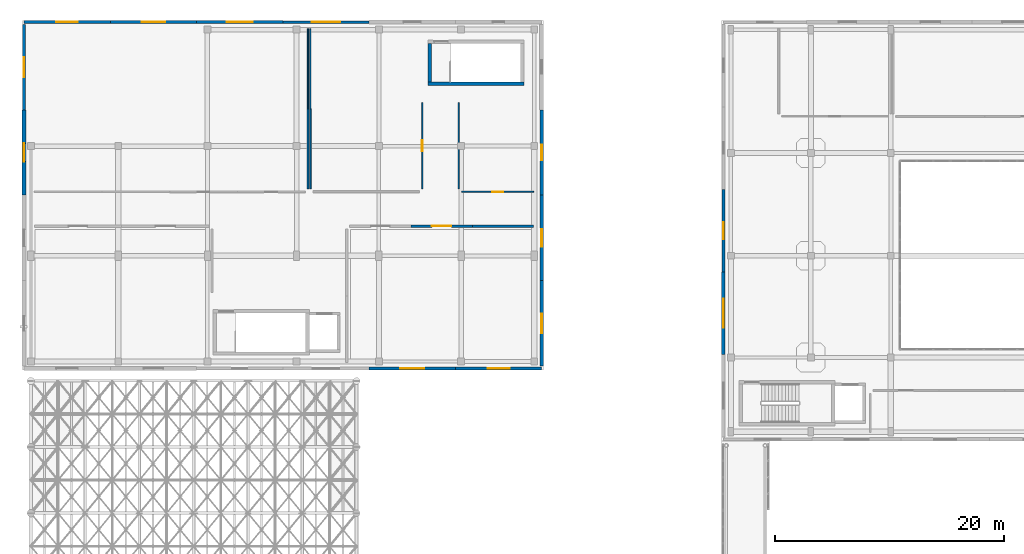
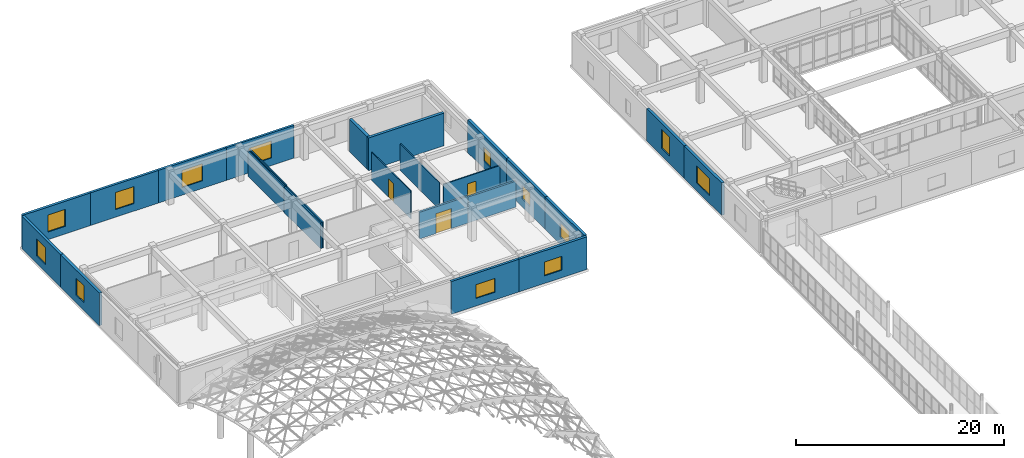
# One storey, part 135 of 146: 24 walls, 13 windows, 3 doors, 16 openings.
"""IFC4 building model written with IfcOpenShell, lengths in metres."""

from ifc_helpers import new_model, si_unit, direction, frame, frame_2d, origin, place, context, subcontext, project, spatial, rectangle, extrude, material, layer, layer_set, type_object, element, fill, save


model = new_model("IFC4")

# Units and contexts
model_context = context("Model", 3, precision=1e-05, world=origin(), true_north=direction((0.0, 1.0)))
body_context = subcontext(model_context, "Body", "Model", "MODEL_VIEW")
ifc_project = project(units=[si_unit("LENGTHUNIT", "METRE"), si_unit("AREAUNIT", "SQUARE_METRE"), si_unit("VOLUMEUNIT", "CUBIC_METRE"), si_unit("PLANEANGLEUNIT", "RADIAN"), si_unit("MASSUNIT", "GRAM", prefix="KILO")], contexts=[model_context])

# Site, building, storey
site_placement = place(None, origin())
site = spatial("IfcSite", under=ifc_project, at=site_placement, CompositionType="ELEMENT")
building_placement = place(site_placement, origin())
building = spatial("IfcBuilding", under=site, at=building_placement, Name="Valcora Specialist Clinic", CompositionType="ELEMENT")
storey_placement = place(building_placement, frame((0.0, 0.0, 9.52001953125)))
storey = spatial("IfcBuildingStorey", under=building, at=storey_placement, Name="L02", CompositionType="ELEMENT", Elevation=9.52001953125)

# Walls
ifc_material_1 = material(Name="Concrete C40/50", Category="concrete")
ifc_layer_1 = layer(ifc_material_1, 0.300048828125)
ifc_layer_set_1 = layer_set([ifc_layer_1], Name="Concrete C40/50")
wall_type_1 = type_object("IfcWallType", Name="TY-WL-CR300", PredefinedType="SHEAR", material=ifc_layer_set_1)
wall_1_placement = place(storey_placement, frame((35.5, 105.25, 0.0), z_axis=(0.0, 0.0, 1.0), x_axis=(1.0, 0.0, 0.0)))
element("IfcWall", 1, at=wall_1_placement, inside=storey, type_object=wall_type_1, Name="Core shear wall WL-CR-C-V2B-L02-S", PredefinedType="SHEAR", context=body_context, shape_type="SweptSolid", body=[
    extrude(rectangle(XDim=8.419921875, YDim=0.300048828125, at=frame_2d((4.2099609375, 0.0))), origin(), (0.0, 0.0, 1.0), 3.843017578125),
])
wall_2_placement = place(storey_placement, frame((35.64990234375, 105.402099609375, 0.0), z_axis=(0.0, 0.0, 1.0), x_axis=(0.0, 1.0, 0.0)))
element("IfcWall", 2, at=wall_2_placement, inside=storey, type_object=wall_type_1, Name="Core shear wall WL-CR-C-V2B-L02-W", PredefinedType="SHEAR", context=body_context, shape_type="SweptSolid", body=[
    extrude(rectangle(XDim=3.39599609375, YDim=0.300048828125, at=frame_2d((1.697998046875, 0.0))), origin(), (0.0, 0.0, 1.0), 3.843017578125),
])

# Wall, opening, window
ifc_material_2 = material(Name="Extruded Jalisco Clay Brick Masonry", Category="masonry")
ifc_layer_2 = layer(ifc_material_2, 0.235107421875)
ifc_layer_set_2 = layer_set([ifc_layer_2], Name="Extruded Jalisco Clay Brick Masonry")
wall_type_2 = type_object("IfcWallType", Name="TY-WL-EW235", PredefinedType="SOLIDWALL", material=ifc_layer_set_2)
wall_3_placement = place(storey_placement, frame((22.800048828125, 110.64990234375, 0.0), z_axis=(0.0, 0.0, 1.0), x_axis=(1.0, 0.0, 0.0)))
wall_3 = element("IfcWall", 3, at=wall_3_placement, inside=storey, type_object=wall_type_2, Name="Exterior wall WL-EXT-L02-0090", PredefinedType="SOLIDWALL", context=body_context, shape_type="SweptSolid", body=[
    extrude(rectangle(XDim=7.550048828125, YDim=0.235107421875, at=frame_2d((3.77490234375, 0.0))), origin(), (0.0, 0.0, 1.0), 3.843017578125),
])
opening_1_placement = place(wall_3_placement, frame((2.52490234375, 0.0, 0.89990234375)))
opening_1 = element("IfcOpeningElement", 4, at=opening_1_placement, cuts=wall_3, Name="Opening WN-29", PredefinedType="OPENING", context=body_context, shape_type="SweptSolid", body=[
    extrude(rectangle(XDim=2.5, YDim=2.0, at=frame_2d((1.25, 1.0))), frame((0.0, 0.12744140625, 0.0), z_axis=(0.0, -1.0, 0.0), x_axis=(1.0, 0.0, 0.0)), (0.0, 0.0, 1.0), 0.255126953125),
])
ifc_material_3 = material(Name="Low-E Laminated Insulating Glass", Category="glass")
window_type_1 = type_object("IfcWindowType", Name="TY-WN-29", PartitioningType="SINGLE_PANEL", PredefinedType="WINDOW", material=ifc_material_3)
window_1_placement = place(opening_1_placement, origin())
window_1 = element("IfcWindow", 5, at=window_1_placement, inside=storey, type_object=window_type_1, Name="Facade window WN-L02-0071", OverallHeight=2.0, OverallWidth=2.5, PartitioningType="SINGLE_PANEL", PredefinedType="WINDOW", context=body_context, shape_type="SweptSolid", body=[
    extrude(rectangle(XDim=2.5, YDim=2.0, at=frame_2d((1.25, 1.0))), frame((0.0, 0.030029296875, 0.0), z_axis=(0.0, -1.0, 0.0), x_axis=(1.0, 0.0, 0.0)), (0.0, 0.0, 1.0), 0.06005859375),
])
fill(opening_1, window_1)

ifc_layer_3 = layer(ifc_material_2, 0.25)
ifc_layer_set_3 = layer_set([ifc_layer_3], Name="Extruded Jalisco Clay Brick Masonry")
wall_type_3 = type_object("IfcWallType", Name="TY-WL-EW250", PredefinedType="SOLIDWALL", material=ifc_layer_set_3)
wall_4_placement = place(storey_placement, frame((15.25, 110.64990234375, 0.0), z_axis=(0.0, 0.0, 1.0), x_axis=(1.0, 0.0, 0.0)))
wall_4 = element("IfcWall", 6, at=wall_4_placement, inside=storey, type_object=wall_type_3, Name="Exterior wall WL-EXT-L02-0089", PredefinedType="SOLIDWALL", context=body_context, shape_type="SweptSolid", body=[
    extrude(rectangle(XDim=7.550048828125, YDim=0.25, at=frame_2d((3.77490234375, 0.0))), origin(), (0.0, 0.0, 1.0), 3.843017578125),
])
opening_2_placement = place(wall_4_placement, frame((2.625, 0.0, 0.89990234375)))
opening_2 = element("IfcOpeningElement", 7, at=opening_2_placement, cuts=wall_4, Name="Opening WN-28", PredefinedType="OPENING", context=body_context, shape_type="SweptSolid", body=[
    extrude(rectangle(XDim=2.300048828125, YDim=2.0, at=frame_2d((1.14990234375, 1.0))), frame((0.0, 0.135009765625, 0.0), z_axis=(0.0, -1.0, 0.0), x_axis=(1.0, 0.0, 0.0)), (0.0, 0.0, 1.0), 0.27001953125),
])
window_type_2 = type_object("IfcWindowType", Name="TY-WN-28", PartitioningType="SINGLE_PANEL", PredefinedType="WINDOW", material=ifc_material_3)
window_2_placement = place(opening_2_placement, origin())
window_2 = element("IfcWindow", 8, at=window_2_placement, inside=storey, type_object=window_type_2, Name="Facade window WN-L02-0070", OverallHeight=2.0, OverallWidth=2.300048828125, PartitioningType="SINGLE_PANEL", PredefinedType="WINDOW", context=body_context, shape_type="SweptSolid", body=[
    extrude(rectangle(XDim=2.300048828125, YDim=2.0, at=frame_2d((1.14990234375, 1.0))), frame((0.0, 0.030029296875, 0.0), z_axis=(0.0, -1.0, 0.0), x_axis=(1.0, 0.0, 0.0)), (0.0, 0.0, 1.0), 0.06005859375),
])
fill(opening_2, window_2)

ifc_layer_4 = layer(ifc_material_2, 0.264892578125)
ifc_layer_set_4 = layer_set([ifc_layer_4], Name="Extruded Jalisco Clay Brick Masonry")
wall_type_4 = type_object("IfcWallType", Name="TY-WL-EW265", PredefinedType="SOLIDWALL", material=ifc_layer_set_4)
wall_5_placement = place(storey_placement, frame((7.699951171875, 110.64990234375, 0.0), z_axis=(0.0, 0.0, 1.0), x_axis=(1.0, 0.0, 0.0)))
wall_5 = element("IfcWall", 9, at=wall_5_placement, inside=storey, type_object=wall_type_4, Name="Exterior wall WL-EXT-L02-0088", PredefinedType="SOLIDWALL", context=body_context, shape_type="SweptSolid", body=[
    extrude(rectangle(XDim=7.550048828125, YDim=0.264892578125, at=frame_2d((3.77490234375, 0.0))), origin(), (0.0, 0.0, 1.0), 3.843017578125),
])
opening_3_placement = place(wall_5_placement, frame((2.75, 0.0, 0.89990234375)))
opening_3 = element("IfcOpeningElement", 10, at=opening_3_placement, cuts=wall_5, Name="Opening WN-27", PredefinedType="OPENING", context=body_context, shape_type="SweptSolid", body=[
    extrude(rectangle(XDim=2.050048828125, YDim=2.0, at=frame_2d((1.02490234375, 1.0))), frame((0.0, 0.142333984375, 0.0), z_axis=(0.0, -1.0, 0.0), x_axis=(1.0, 0.0, 0.0)), (0.0, 0.0, 1.0), 0.284912109375),
])
window_type_3 = type_object("IfcWindowType", Name="TY-WN-27", PartitioningType="SINGLE_PANEL", PredefinedType="WINDOW", material=ifc_material_3)
window_3_placement = place(opening_3_placement, origin())
window_3 = element("IfcWindow", 11, at=window_3_placement, inside=storey, type_object=window_type_3, Name="Facade window WN-L02-0069", OverallHeight=2.0, OverallWidth=2.050048828125, PartitioningType="SINGLE_PANEL", PredefinedType="WINDOW", context=body_context, shape_type="SweptSolid", body=[
    extrude(rectangle(XDim=2.050048828125, YDim=2.0, at=frame_2d((1.02490234375, 1.0))), frame((0.0, 0.030029296875, 0.0), z_axis=(0.0, -1.0, 0.0), x_axis=(1.0, 0.0, 0.0)), (0.0, 0.0, 1.0), 0.06005859375),
])
fill(opening_3, window_3)

wall_6_placement = place(storey_placement, frame((37.89990234375, 80.35009765625, 0.0), z_axis=(0.0, 0.0, 1.0), x_axis=(-1.0, 0.0, 0.0)))
wall_6 = element("IfcWall", 12, at=wall_6_placement, inside=storey, type_object=wall_type_4, Name="Exterior wall WL-EXT-L02-0098", PredefinedType="SOLIDWALL", context=body_context, shape_type="SweptSolid", body=[
    extrude(rectangle(XDim=7.5498046875, YDim=0.264892578125, at=frame_2d((3.77490234375, 0.0))), origin(), (0.0, 0.0, 1.0), 3.843017578125),
])
opening_4_placement = place(wall_6_placement, frame((2.715087890625, 0.0, 0.89990234375)))
opening_4 = element("IfcOpeningElement", 13, at=opening_4_placement, cuts=wall_6, Name="Opening WN-37", PredefinedType="OPENING", context=body_context, shape_type="SweptSolid", body=[
    extrude(rectangle(XDim=2.1201171875, YDim=1.6201171875, at=frame_2d((1.06005859375, 0.81005859375))), frame((0.0, 0.142333984375, 0.0), z_axis=(0.0, -1.0, 0.0), x_axis=(1.0, 0.0, 0.0)), (0.0, 0.0, 1.0), 0.284912109375),
])
window_type_4 = type_object("IfcWindowType", Name="TY-WN-37", PartitioningType="SINGLE_PANEL", PredefinedType="WINDOW", material=ifc_material_3)
window_4_placement = place(opening_4_placement, origin())
window_4 = element("IfcWindow", 14, at=window_4_placement, inside=storey, type_object=window_type_4, Name="Facade window WN-L02-0079", OverallHeight=1.6201171875, OverallWidth=2.1201171875, PartitioningType="SINGLE_PANEL", PredefinedType="WINDOW", context=body_context, shape_type="SweptSolid", body=[
    extrude(rectangle(XDim=2.1201171875, YDim=1.6201171875, at=frame_2d((1.06005859375, 0.81005859375))), frame((0.0, 0.030029296875, 0.0), z_axis=(0.0, -1.0, 0.0), x_axis=(1.0, 0.0, 0.0)), (0.0, 0.0, 1.0), 0.06005859375),
])
fill(opening_4, window_4)

ifc_layer_5 = layer(ifc_material_2, 0.280029296875)
ifc_layer_set_5 = layer_set([ifc_layer_5], Name="Extruded Jalisco Clay Brick Masonry")
wall_type_5 = type_object("IfcWallType", Name="TY-WL-EW280", PredefinedType="SOLIDWALL", material=ifc_layer_set_5)
wall_7_placement = place(storey_placement, frame((0.14990234375, 110.64990234375, 0.0), z_axis=(0.0, 0.0, 1.0), x_axis=(1.0, 0.0, 0.0)))
wall_7 = element("IfcWall", 15, at=wall_7_placement, inside=storey, type_object=wall_type_5, Name="Exterior wall WL-EXT-L02-0087", PredefinedType="SOLIDWALL", context=body_context, shape_type="SweptSolid", body=[
    extrude(rectangle(XDim=7.550048828125, YDim=0.280029296875, at=frame_2d((3.77490234375, 0.0))), origin(), (0.0, 0.0, 1.0), 3.843017578125),
])
opening_5_placement = place(wall_7_placement, frame((2.824951171875, 0.0, 0.89990234375)))
opening_5 = element("IfcOpeningElement", 16, at=opening_5_placement, cuts=wall_7, Name="Opening WN-26", PredefinedType="OPENING", context=body_context, shape_type="SweptSolid", body=[
    extrude(rectangle(XDim=1.89990234375, YDim=2.0, at=frame_2d((0.949951171875, 1.0))), frame((0.0, 0.14990234375, 0.0), z_axis=(0.0, -1.0, 0.0), x_axis=(1.0, 0.0, 0.0)), (0.0, 0.0, 1.0), 0.300048828125),
])
window_type_5 = type_object("IfcWindowType", Name="TY-WN-26", PartitioningType="SINGLE_PANEL", PredefinedType="WINDOW", material=ifc_material_3)
window_5_placement = place(opening_5_placement, origin())
window_5 = element("IfcWindow", 17, at=window_5_placement, inside=storey, type_object=window_type_5, Name="Facade window WN-L02-0068", OverallHeight=2.0, OverallWidth=1.89990234375, PartitioningType="SINGLE_PANEL", PredefinedType="WINDOW", context=body_context, shape_type="SweptSolid", body=[
    extrude(rectangle(XDim=1.89990234375, YDim=2.0, at=frame_2d((0.949951171875, 1.0))), frame((0.0, 0.030029296875, 0.0), z_axis=(0.0, -1.0, 0.0), x_axis=(1.0, 0.0, 0.0)), (0.0, 0.0, 1.0), 0.06005859375),
])
fill(opening_5, window_5)

wall_8_placement = place(storey_placement, frame((45.449951171875, 80.35009765625, 0.0), z_axis=(0.0, 0.0, 1.0), x_axis=(-1.0, 0.0, 0.0)))
wall_8 = element("IfcWall", 18, at=wall_8_placement, inside=storey, type_object=wall_type_5, Name="Exterior wall WL-EXT-L02-0097", PredefinedType="SOLIDWALL", context=body_context, shape_type="SweptSolid", body=[
    extrude(rectangle(XDim=7.550048828125, YDim=0.280029296875, at=frame_2d((3.77490234375, 0.0))), origin(), (0.0, 0.0, 1.0), 3.843017578125),
])
opening_6_placement = place(wall_8_placement, frame((2.81494140625, 0.0, 0.89990234375)))
opening_6 = element("IfcOpeningElement", 19, at=opening_6_placement, cuts=wall_8, Name="Opening WN-36", PredefinedType="OPENING", context=body_context, shape_type="SweptSolid", body=[
    extrude(rectangle(XDim=1.919921875, YDim=1.6201171875, at=frame_2d((0.9599609375, 0.81005859375))), frame((0.0, 0.14990234375, 0.0), z_axis=(0.0, -1.0, 0.0), x_axis=(1.0, 0.0, 0.0)), (0.0, 0.0, 1.0), 0.300048828125),
])
window_type_6 = type_object("IfcWindowType", Name="TY-WN-36", PartitioningType="SINGLE_PANEL", PredefinedType="WINDOW", material=ifc_material_3)
window_6_placement = place(opening_6_placement, origin())
window_6 = element("IfcWindow", 20, at=window_6_placement, inside=storey, type_object=window_type_6, Name="Facade window WN-L02-0078", OverallHeight=1.6201171875, OverallWidth=1.919921875, PartitioningType="SINGLE_PANEL", PredefinedType="WINDOW", context=body_context, shape_type="SweptSolid", body=[
    extrude(rectangle(XDim=1.919921875, YDim=1.6201171875, at=frame_2d((0.9599609375, 0.81005859375))), frame((0.0, 0.030029296875, 0.0), z_axis=(0.0, -1.0, 0.0), x_axis=(1.0, 0.0, 0.0)), (0.0, 0.0, 1.0), 0.06005859375),
])
fill(opening_6, window_6)

wall_9_placement = place(storey_placement, frame((61.35009765625, 88.7880859375, 0.0), z_axis=(0.0, 0.0, 1.0), x_axis=(0.0, 1.0, 0.0)))
wall_9 = element("IfcWall", 21, at=wall_9_placement, inside=storey, type_object=wall_type_5, Name="Exterior wall WL-EXT-L02-0177", PredefinedType="SOLIDWALL", context=body_context, shape_type="SweptSolid", body=[
    extrude(rectangle(XDim=7.223876953125, YDim=0.280029296875, at=frame_2d((3.61181640625, 0.0))), origin(), (0.0, 0.0, 1.0), 3.820068359375),
])
opening_7_placement = place(wall_9_placement, frame((2.862060546875, 0.0, 0.89990234375)))
opening_7 = element("IfcOpeningElement", 22, at=opening_7_placement, cuts=wall_9, Name="Opening WN-30", PredefinedType="OPENING", context=body_context, shape_type="SweptSolid", body=[
    extrude(rectangle(XDim=1.5, YDim=2.199951171875, at=frame_2d((0.75, 1.10009765625))), frame((0.0, 0.14990234375, 0.0), z_axis=(0.0, -1.0, 0.0), x_axis=(1.0, 0.0, 0.0)), (0.0, 0.0, 1.0), 0.300048828125),
])
window_type_7 = type_object("IfcWindowType", Name="TY-WN-30", PartitioningType="SINGLE_PANEL", PredefinedType="WINDOW", material=ifc_material_3)
window_7_placement = place(opening_7_placement, origin())
window_7 = element("IfcWindow", 23, at=window_7_placement, inside=storey, type_object=window_type_7, Name="Facade window WN-L02-0156", OverallHeight=2.199951171875, OverallWidth=1.5, PartitioningType="SINGLE_PANEL", PredefinedType="WINDOW", context=body_context, shape_type="SweptSolid", body=[
    extrude(rectangle(XDim=1.5, YDim=2.199951171875, at=frame_2d((0.75, 1.10009765625))), frame((0.0, 0.030029296875, 0.0), z_axis=(0.0, -1.0, 0.0), x_axis=(1.0, 0.0, 0.0)), (0.0, 0.0, 1.0), 0.06005859375),
])
fill(opening_7, window_7)

ifc_layer_6 = layer(ifc_material_2, 0.294921875)
ifc_layer_set_6 = layer_set([ifc_layer_6], Name="Extruded Jalisco Clay Brick Masonry")
wall_type_6 = type_object("IfcWallType", Name="TY-WL-EW295", PredefinedType="SOLIDWALL", material=ifc_layer_set_6)
wall_10_placement = place(storey_placement, frame((0.14990234375, 102.97998046875, 0.0), z_axis=(0.0, 0.0, 1.0), x_axis=(0.0, 1.0, 0.0)))
wall_10 = element("IfcWall", 24, at=wall_10_placement, inside=storey, type_object=wall_type_6, Name="Exterior wall WL-EXT-L02-0086", PredefinedType="SOLIDWALL", context=body_context, shape_type="SweptSolid", body=[
    extrude(rectangle(XDim=7.47998046875, YDim=0.294921875, at=frame_2d((3.739990234375, 0.0))), origin(), (0.0, 0.0, 1.0), 3.843017578125),
])
opening_8_placement = place(wall_10_placement, frame((2.864990234375, 0.0, 0.89990234375)))
opening_8 = element("IfcOpeningElement", 25, at=opening_8_placement, cuts=wall_10, Name="Opening WN-25", PredefinedType="OPENING", context=body_context, shape_type="SweptSolid", body=[
    extrude(rectangle(XDim=1.75, YDim=2.0, at=frame_2d((0.875, 1.0))), frame((0.0, 0.157470703125, 0.0), z_axis=(0.0, -1.0, 0.0), x_axis=(1.0, 0.0, 0.0)), (0.0, 0.0, 1.0), 0.31494140625),
])
window_type_8 = type_object("IfcWindowType", Name="TY-WN-25", PartitioningType="SINGLE_PANEL", PredefinedType="WINDOW", material=ifc_material_3)
window_8_placement = place(opening_8_placement, origin())
window_8 = element("IfcWindow", 26, at=window_8_placement, inside=storey, type_object=window_type_8, Name="Facade window WN-L02-0067", OverallHeight=2.0, OverallWidth=1.75, PartitioningType="SINGLE_PANEL", PredefinedType="WINDOW", context=body_context, shape_type="SweptSolid", body=[
    extrude(rectangle(XDim=1.75, YDim=2.0, at=frame_2d((0.875, 1.0))), frame((0.0, 0.030029296875, 0.0), z_axis=(0.0, -1.0, 0.0), x_axis=(1.0, 0.0, 0.0)), (0.0, 0.0, 1.0), 0.06005859375),
])
fill(opening_8, window_8)

wall_11_placement = place(storey_placement, frame((45.449951171875, 88.02001953125, 0.0), z_axis=(0.0, 0.0, 1.0), x_axis=(0.0, -1.0, 0.0)))
wall_11 = element("IfcWall", 27, at=wall_11_placement, inside=storey, type_object=wall_type_6, Name="Exterior wall WL-EXT-L02-0096", PredefinedType="SOLIDWALL", context=body_context, shape_type="SweptSolid", body=[
    extrude(rectangle(XDim=7.47998046875, YDim=0.294921875, at=frame_2d((3.739990234375, 0.0))), origin(), (0.0, 0.0, 1.0), 3.843017578125),
])
opening_9_placement = place(wall_11_placement, frame((2.8798828125, 0.0, 0.89990234375)))
opening_9 = element("IfcOpeningElement", 28, at=opening_9_placement, cuts=wall_11, Name="Opening WN-35", PredefinedType="OPENING", context=body_context, shape_type="SweptSolid", body=[
    extrude(rectangle(XDim=1.719970703125, YDim=1.6201171875, at=frame_2d((0.85986328125, 0.81005859375))), frame((0.0, 0.157470703125, 0.0), z_axis=(0.0, -1.0, 0.0), x_axis=(1.0, 0.0, 0.0)), (0.0, 0.0, 1.0), 0.31494140625),
])
window_type_9 = type_object("IfcWindowType", Name="TY-WN-35", PartitioningType="SINGLE_PANEL", PredefinedType="WINDOW", material=ifc_material_3)
window_9_placement = place(opening_9_placement, origin())
window_9 = element("IfcWindow", 29, at=window_9_placement, inside=storey, type_object=window_type_9, Name="Facade window WN-L02-0077", OverallHeight=1.6201171875, OverallWidth=1.719970703125, PartitioningType="SINGLE_PANEL", PredefinedType="WINDOW", context=body_context, shape_type="SweptSolid", body=[
    extrude(rectangle(XDim=1.719970703125, YDim=1.6201171875, at=frame_2d((0.85986328125, 0.81005859375))), frame((0.0, 0.030029296875, 0.0), z_axis=(0.0, -1.0, 0.0), x_axis=(1.0, 0.0, 0.0)), (0.0, 0.0, 1.0), 0.06005859375),
])
fill(opening_9, window_9)

wall_12_placement = place(storey_placement, frame((61.35009765625, 81.56396484375, 0.0), z_axis=(0.0, 0.0, 1.0), x_axis=(0.0, 1.0, 0.0)))
wall_12 = element("IfcWall", 30, at=wall_12_placement, inside=storey, type_object=wall_type_6, Name="Exterior wall WL-EXT-L02-0176", PredefinedType="SOLIDWALL", context=body_context, shape_type="SweptSolid", body=[
    extrude(rectangle(XDim=7.22412109375, YDim=0.294921875, at=frame_2d((3.612060546875, 0.0))), origin(), (0.0, 0.0, 1.0), 3.820068359375),
])
opening_10_placement = place(wall_12_placement, frame((2.362060546875, 0.0, 0.89990234375)))
opening_10 = element("IfcOpeningElement", 31, at=opening_10_placement, cuts=wall_12, Name="Opening WN-29", PredefinedType="OPENING", context=body_context, shape_type="SweptSolid", body=[
    extrude(rectangle(XDim=2.5, YDim=2.0, at=frame_2d((1.25, 1.0))), frame((0.0, 0.157470703125, 0.0), z_axis=(0.0, -1.0, 0.0), x_axis=(1.0, 0.0, 0.0)), (0.0, 0.0, 1.0), 0.31494140625),
])
window_10_placement = place(opening_10_placement, origin())
window_10 = element("IfcWindow", 32, at=window_10_placement, inside=storey, type_object=window_type_1, Name="Facade window WN-L02-0155", OverallHeight=2.0, OverallWidth=2.5, PartitioningType="SINGLE_PANEL", PredefinedType="WINDOW", context=body_context, shape_type="SweptSolid", body=[
    extrude(rectangle(XDim=2.5, YDim=2.0, at=frame_2d((1.25, 1.0))), frame((0.0, 0.030029296875, 0.0), z_axis=(0.0, -1.0, 0.0), x_axis=(1.0, 0.0, 0.0)), (0.0, 0.0, 1.0), 0.06005859375),
])
fill(opening_10, window_10)

ifc_layer_7 = layer(ifc_material_2, 0.31005859375)
ifc_layer_set_7 = layer_set([ifc_layer_7], Name="Extruded Jalisco Clay Brick Masonry")
wall_type_7 = type_object("IfcWallType", Name="TY-WL-EW310", PredefinedType="SOLIDWALL", material=ifc_layer_set_7)
wall_13_placement = place(storey_placement, frame((0.14990234375, 95.5, 0.0), z_axis=(0.0, 0.0, 1.0), x_axis=(0.0, 1.0, 0.0)))
wall_13 = element("IfcWall", 33, at=wall_13_placement, inside=storey, type_object=wall_type_7, Name="Exterior wall WL-EXT-L02-0085", PredefinedType="SOLIDWALL", context=body_context, shape_type="SweptSolid", body=[
    extrude(rectangle(XDim=7.47998046875, YDim=0.31005859375, at=frame_2d((3.739990234375, 0.0))), origin(), (0.0, 0.0, 1.0), 3.843017578125),
])
opening_11_placement = place(wall_13_placement, frame((2.93994140625, 0.0, 0.89990234375)))
opening_11 = element("IfcOpeningElement", 34, at=opening_11_placement, cuts=wall_13, Name="Opening WN-24", PredefinedType="OPENING", context=body_context, shape_type="SweptSolid", body=[
    extrude(rectangle(XDim=1.60009765625, YDim=2.0, at=frame_2d((0.800048828125, 1.0))), frame((0.0, 0.1650390625, 0.0), z_axis=(0.0, -1.0, 0.0), x_axis=(1.0, 0.0, 0.0)), (0.0, 0.0, 1.0), 0.330078125),
])
window_type_10 = type_object("IfcWindowType", Name="TY-WN-24", PartitioningType="SINGLE_PANEL", PredefinedType="WINDOW", material=ifc_material_3)
window_11_placement = place(opening_11_placement, origin())
window_11 = element("IfcWindow", 35, at=window_11_placement, inside=storey, type_object=window_type_10, Name="Facade window WN-L02-0066", OverallHeight=2.0, OverallWidth=1.60009765625, PartitioningType="SINGLE_PANEL", PredefinedType="WINDOW", context=body_context, shape_type="SweptSolid", body=[
    extrude(rectangle(XDim=1.60009765625, YDim=2.0, at=frame_2d((0.800048828125, 1.0))), frame((0.0, 0.030029296875, 0.0), z_axis=(0.0, -1.0, 0.0), x_axis=(1.0, 0.0, 0.0)), (0.0, 0.0, 1.0), 0.06005859375),
])
fill(opening_11, window_11)

wall_14_placement = place(storey_placement, frame((45.449951171875, 95.5, 0.0), z_axis=(0.0, 0.0, 1.0), x_axis=(0.0, -1.0, 0.0)))
wall_14 = element("IfcWall", 36, at=wall_14_placement, inside=storey, type_object=wall_type_7, Name="Exterior wall WL-EXT-L02-0095", PredefinedType="SOLIDWALL", context=body_context, shape_type="SweptSolid", body=[
    extrude(rectangle(XDim=7.47998046875, YDim=0.31005859375, at=frame_2d((3.739990234375, 0.0))), origin(), (0.0, 0.0, 1.0), 3.843017578125),
])
opening_12_placement = place(wall_14_placement, frame((2.969970703125, 0.0, 0.89990234375)))
opening_12 = element("IfcOpeningElement", 37, at=opening_12_placement, cuts=wall_14, Name="Opening WN-34", PredefinedType="OPENING", context=body_context, shape_type="SweptSolid", body=[
    extrude(rectangle(XDim=1.5400390625, YDim=1.6201171875, at=frame_2d((0.77001953125, 0.81005859375))), frame((0.0, 0.1650390625, 0.0), z_axis=(0.0, -1.0, 0.0), x_axis=(1.0, 0.0, 0.0)), (0.0, 0.0, 1.0), 0.330078125),
])
window_type_11 = type_object("IfcWindowType", Name="TY-WN-34", PartitioningType="SINGLE_PANEL", PredefinedType="WINDOW", material=ifc_material_3)
window_12_placement = place(opening_12_placement, origin())
window_12 = element("IfcWindow", 38, at=window_12_placement, inside=storey, type_object=window_type_11, Name="Facade window WN-L02-0076", OverallHeight=1.6201171875, OverallWidth=1.5400390625, PartitioningType="SINGLE_PANEL", PredefinedType="WINDOW", context=body_context, shape_type="SweptSolid", body=[
    extrude(rectangle(XDim=1.5400390625, YDim=1.6201171875, at=frame_2d((0.77001953125, 0.81005859375))), frame((0.0, 0.030029296875, 0.0), z_axis=(0.0, -1.0, 0.0), x_axis=(1.0, 0.0, 0.0)), (0.0, 0.0, 1.0), 0.06005859375),
])
fill(opening_12, window_12)

ifc_layer_8 = layer(ifc_material_2, 0.324951171875)
ifc_layer_set_8 = layer_set([ifc_layer_8], Name="Extruded Jalisco Clay Brick Masonry")
wall_type_8 = type_object("IfcWallType", Name="TY-WL-EW325", PredefinedType="SOLIDWALL", material=ifc_layer_set_8)
wall_15_placement = place(storey_placement, frame((45.449951171875, 102.97998046875, 0.0), z_axis=(0.0, 0.0, 1.0), x_axis=(0.0, -1.0, 0.0)))
wall_15 = element("IfcWall", 39, at=wall_15_placement, inside=storey, type_object=wall_type_8, Name="Exterior wall WL-EXT-L02-0094", PredefinedType="SOLIDWALL", context=body_context, shape_type="SweptSolid", body=[
    extrude(rectangle(XDim=7.47998046875, YDim=0.324951171875, at=frame_2d((3.739990234375, 0.0))), origin(), (0.0, 0.0, 1.0), 3.843017578125),
])
opening_13_placement = place(wall_15_placement, frame((3.06005859375, 0.0, 0.89990234375)))
opening_13 = element("IfcOpeningElement", 40, at=opening_13_placement, cuts=wall_15, Name="Opening WN-33", PredefinedType="OPENING", context=body_context, shape_type="SweptSolid", body=[
    extrude(rectangle(XDim=1.360107421875, YDim=1.6201171875, at=frame_2d((0.68017578125, 0.81005859375))), frame((0.0, 0.17236328125, 0.0), z_axis=(0.0, -1.0, 0.0), x_axis=(1.0, 0.0, 0.0)), (0.0, 0.0, 1.0), 0.344970703125),
])
window_type_12 = type_object("IfcWindowType", Name="TY-WN-33", PartitioningType="SINGLE_PANEL", PredefinedType="WINDOW", material=ifc_material_3)
window_13_placement = place(opening_13_placement, origin())
window_13 = element("IfcWindow", 41, at=window_13_placement, inside=storey, type_object=window_type_12, Name="Facade window WN-L02-0075", OverallHeight=1.6201171875, OverallWidth=1.360107421875, PartitioningType="SINGLE_PANEL", PredefinedType="WINDOW", context=body_context, shape_type="SweptSolid", body=[
    extrude(rectangle(XDim=1.360107421875, YDim=1.6201171875, at=frame_2d((0.68017578125, 0.81005859375))), frame((0.0, 0.030029296875, 0.0), z_axis=(0.0, -1.0, 0.0), x_axis=(1.0, 0.0, 0.0)), (0.0, 0.0, 1.0), 0.06005859375),
])
fill(opening_13, window_13)

# Wall
ifc_material_4 = material(Name="Gypsum Board Partition Assembly")
ifc_layer_9 = layer(ifc_material_4, 0.094970703125)
ifc_layer_set_9 = layer_set([ifc_layer_9], Name="Gypsum Board Partition Assembly")
wall_type_9 = type_object("IfcWallType", Name="TY-WL-PT095", PredefinedType="PARTITIONING", material=ifc_layer_set_9)
wall_16_placement = place(storey_placement, frame((25.0, 110.050048828125, 0.0), z_axis=(0.0, 0.0, 1.0), x_axis=(0.0, -1.0, 0.0)))
element("IfcWall", 42, at=wall_16_placement, inside=storey, type_object=wall_type_9, Name="Interior partition WL-INT-L02-0287", PredefinedType="PARTITIONING", context=body_context, shape_type="SweptSolid", body=[
    extrude(rectangle(XDim=7.0, YDim=0.094970703125, at=frame_2d((3.5, 0.0))), origin(), (0.0, 0.0, 1.0), 3.14306640625),
])

# Wall, opening, door
wall_17_placement = place(storey_placement, frame((35.0, 103.60009765625, 0.0), z_axis=(0.0, 0.0, 1.0), x_axis=(0.0, -1.0, 0.0)))
wall_17 = element("IfcWall", 43, at=wall_17_placement, inside=storey, type_object=wall_type_9, Name="Interior partition WL-INT-L02-0293", PredefinedType="PARTITIONING", context=body_context, shape_type="SweptSolid", body=[
    extrude(rectangle(XDim=7.550048828125, YDim=0.094970703125, at=frame_2d((3.77490234375, 0.0))), origin(), (0.0, 0.0, 1.0), 3.29296875),
])
opening_14_placement = place(wall_17_placement, frame((3.284912109375, 0.0, 0.0)))
opening_14 = element("IfcOpeningElement", 44, at=opening_14_placement, cuts=wall_17, Name="Opening DR-CN-098", PredefinedType="OPENING", context=body_context, shape_type="SweptSolid", body=[
    extrude(rectangle(XDim=0.97998046875, YDim=2.14990234375, at=frame_2d((0.489990234375, 1.074951171875))), frame((0.0, 0.057373046875, 0.0), z_axis=(0.0, -1.0, 0.0), x_axis=(1.0, 0.0, 0.0)), (0.0, 0.0, 1.0), 0.114990234375),
])
ifc_material_5 = material(Name="Glulam Conifer Class 24F", Category="wood")
door_type_1 = type_object("IfcDoorType", Name="TY-DR-CN098", OperationType="NOTDEFINED", PredefinedType="DOOR", material=ifc_material_5)
door_1_placement = place(opening_14_placement, origin())
door_1 = element("IfcDoor", 45, at=door_1_placement, inside=storey, type_object=door_type_1, Name="Interior door DR-INT-L02-0084", OperationType="SINGLE_SWING_RIGHT", OverallHeight=2.14990234375, OverallWidth=0.97998046875, PredefinedType="DOOR", context=body_context, shape_type="SweptSolid", body=[
    extrude(rectangle(XDim=0.97998046875, YDim=2.14990234375, at=frame_2d((0.489990234375, 1.074951171875))), frame((0.0, 0.02490234375, 0.0), z_axis=(0.0, -1.0, 0.0), x_axis=(1.0, 0.0, 0.0)), (0.0, 0.0, 1.0), 0.050048828125),
])
fill(opening_14, door_1)

# Wall
ifc_layer_10 = layer(ifc_material_4, 0.10498046875)
ifc_layer_set_10 = layer_set([ifc_layer_10], Name="Gypsum Board Partition Assembly")
wall_type_10 = type_object("IfcWallType", Name="TY-WL-PT105", PredefinedType="PARTITIONING", material=ifc_layer_set_10)
wall_18_placement = place(storey_placement, frame((38.199951171875, 96.050048828125, 0.0), z_axis=(0.0, 0.0, 1.0), x_axis=(0.0, 1.0, 0.0)))
element("IfcWall", 46, at=wall_18_placement, inside=storey, type_object=wall_type_10, Name="Interior partition WL-INT-L02-0298", PredefinedType="PARTITIONING", context=body_context, shape_type="SweptSolid", body=[
    extrude(rectangle(XDim=7.550048828125, YDim=0.10498046875, at=frame_2d((3.77490234375, 0.0))), origin(), (0.0, 0.0, 1.0), 3.14306640625),
])

# Wall, opening, door
ifc_layer_11 = layer(ifc_material_4, 0.114990234375)
ifc_layer_set_11 = layer_set([ifc_layer_11], Name="Gypsum Board Partition Assembly")
wall_type_11 = type_object("IfcWallType", Name="TY-WL-PT115", PredefinedType="PARTITIONING", material=ifc_layer_set_11)
wall_19_placement = place(storey_placement, frame((44.75, 95.800048828125, 0.0), z_axis=(0.0, 0.0, 1.0), x_axis=(-1.0, 0.0, 0.0)))
wall_19 = element("IfcWall", 47, at=wall_19_placement, inside=storey, type_object=wall_type_11, Name="Interior partition WL-INT-L02-0297", PredefinedType="PARTITIONING", context=body_context, shape_type="SweptSolid", body=[
    extrude(rectangle(XDim=6.300048828125, YDim=0.114990234375, at=frame_2d((3.14990234375, 0.0))), origin(), (0.0, 0.0, 1.0), 3.04296875),
])
opening_15_placement = place(wall_19_placement, frame((2.675048828125, 0.0, 0.0)))
opening_15 = element("IfcOpeningElement", 48, at=opening_15_placement, cuts=wall_19, Name="Opening DR-WC-095", PredefinedType="OPENING", context=body_context, shape_type="SweptSolid", body=[
    extrude(rectangle(XDim=0.949951171875, YDim=2.14990234375, at=frame_2d((0.47509765625, 1.074951171875))), frame((0.0, 0.0673828125, 0.0), z_axis=(0.0, -1.0, 0.0), x_axis=(1.0, 0.0, 0.0)), (0.0, 0.0, 1.0), 0.135009765625),
])
door_type_2 = type_object("IfcDoorType", Name="TY-DR-WC095", OperationType="NOTDEFINED", PredefinedType="DOOR", material=ifc_material_5)
door_2_placement = place(opening_15_placement, origin())
door_2 = element("IfcDoor", 49, at=door_2_placement, inside=storey, type_object=door_type_2, Name="Interior door DR-INT-L02-0085", OperationType="SINGLE_SWING_LEFT", OverallHeight=2.14990234375, OverallWidth=0.949951171875, PredefinedType="DOOR", context=body_context, shape_type="SweptSolid", body=[
    extrude(rectangle(XDim=0.949951171875, YDim=2.14990234375, at=frame_2d((0.47509765625, 1.074951171875))), frame((0.0, 0.02490234375, 0.0), z_axis=(0.0, -1.0, 0.0), x_axis=(1.0, 0.0, 0.0)), (0.0, 0.0, 1.0), 0.050048828125),
])
fill(opening_15, door_2)

# Walls
ifc_layer_12 = layer(ifc_material_4, 0.125)
ifc_layer_set_12 = layer_set([ifc_layer_12], Name="Gypsum Board Partition Assembly")
wall_type_12 = type_object("IfcWallType", Name="TY-WL-PT125", PredefinedType="PARTITIONING", material=ifc_layer_set_12)
wall_20_placement = place(storey_placement, frame((25.199951171875, 103.050048828125, 0.0), z_axis=(0.0, 0.0, 1.0), x_axis=(0.0, 1.0, 0.0)))
element("IfcWall", 50, at=wall_20_placement, inside=storey, type_object=wall_type_12, Name="Interior partition WL-INT-L02-0296", PredefinedType="PARTITIONING", context=body_context, shape_type="SweptSolid", body=[
    extrude(rectangle(XDim=7.0, YDim=0.125, at=frame_2d((3.5, 0.0))), origin(), (0.0, 0.0, 1.0), 3.14306640625),
])
ifc_layer_13 = layer(ifc_material_4, 0.135009765625)
ifc_layer_set_13 = layer_set([ifc_layer_13], Name="Gypsum Board Partition Assembly")
wall_type_13 = type_object("IfcWallType", Name="TY-WL-PT135", PredefinedType="PARTITIONING", material=ifc_layer_set_13)
wall_21_placement = place(storey_placement, frame((25.199951171875, 96.050048828125, 0.0), z_axis=(0.0, 0.0, 1.0), x_axis=(0.0, 1.0, 0.0)))
element("IfcWall", 51, at=wall_21_placement, inside=storey, type_object=wall_type_13, Name="Interior partition WL-INT-L02-0295", PredefinedType="PARTITIONING", context=body_context, shape_type="SweptSolid", body=[
    extrude(rectangle(XDim=7.0, YDim=0.135009765625, at=frame_2d((3.5, 0.0))), origin(), (0.0, 0.0, 1.0), 3.04296875),
])
ifc_layer_14 = layer(ifc_material_4, 0.14501953125)
ifc_layer_set_14 = layer_set([ifc_layer_14], Name="Gypsum Board Partition Assembly")
wall_type_14 = type_object("IfcWallType", Name="TY-WL-PT145", PredefinedType="PARTITIONING", material=ifc_layer_set_14)
wall_22_placement = place(storey_placement, frame((25.0, 103.050048828125, 0.0), z_axis=(0.0, 0.0, 1.0), x_axis=(0.0, -1.0, 0.0)))
element("IfcWall", 52, at=wall_22_placement, inside=storey, type_object=wall_type_14, Name="Interior partition WL-INT-L02-0288", PredefinedType="PARTITIONING", context=body_context, shape_type="SweptSolid", body=[
    extrude(rectangle(XDim=7.0, YDim=0.14501953125, at=frame_2d((3.5, 0.0))), origin(), (0.0, 0.0, 1.0), 3.04296875),
])
ifc_material_6 = material(Name="Lead-Lined Gypsum Partition Assembly")
ifc_layer_15 = layer(ifc_material_6, 0.205078125)
ifc_layer_set_15 = layer_set([ifc_layer_15], Name="Lead-Lined Gypsum Partition Assembly")
wall_type_15 = type_object("IfcWallType", Name="TY-WL-PT205", PredefinedType="PARTITIONING", material=ifc_layer_set_15)
wall_23_placement = place(storey_placement, frame((39.383056640625, 92.800048828125, 0.0), z_axis=(0.0, 0.0, 1.0), x_axis=(1.0, 0.0, 0.0)))
element("IfcWall", 53, at=wall_23_placement, inside=storey, type_object=wall_type_15, Name="Interior partition WL-INT-L02-0284", PredefinedType="PARTITIONING", context=body_context, shape_type="SweptSolid", body=[
    extrude(rectangle(XDim=5.366943359375, YDim=0.205078125, at=frame_2d((2.68359375, 0.0))), origin(), (0.0, 0.0, 1.0), 3.04296875),
])

# Wall, opening, door
ifc_layer_16 = layer(ifc_material_6, 0.215087890625)
ifc_layer_set_16 = layer_set([ifc_layer_16], Name="Lead-Lined Gypsum Partition Assembly")
wall_type_16 = type_object("IfcWallType", Name="TY-WL-PT215", PredefinedType="PARTITIONING", material=ifc_layer_set_16)
wall_24_placement = place(storey_placement, frame((34.01708984375, 92.800048828125, 0.0), z_axis=(0.0, 0.0, 1.0), x_axis=(1.0, 0.0, 0.0)))
wall_24 = element("IfcWall", 54, at=wall_24_placement, inside=storey, type_object=wall_type_16, Name="Interior partition WL-INT-L02-0283", PredefinedType="PARTITIONING", context=body_context, shape_type="SweptSolid", body=[
    extrude(rectangle(XDim=5.365966796875, YDim=0.215087890625, at=frame_2d((2.68310546875, 0.0))), origin(), (0.0, 0.0, 1.0), 3.14306640625),
])
opening_16_placement = place(wall_24_placement, frame((1.8330078125, 0.0, 0.0)))
opening_16 = element("IfcOpeningElement", 55, at=opening_16_placement, cuts=wall_24, Name="Opening DR-IM-170", PredefinedType="OPENING", context=body_context, shape_type="SweptSolid", body=[
    extrude(rectangle(XDim=1.699951171875, YDim=2.35009765625, at=frame_2d((0.85009765625, 1.175048828125))), frame((0.0, 0.117431640625, 0.0), z_axis=(0.0, -1.0, 0.0), x_axis=(1.0, 0.0, 0.0)), (0.0, 0.0, 1.0), 0.235107421875),
])
door_type_3 = type_object("IfcDoorType", Name="TY-DR-IM170", OperationType="NOTDEFINED", PredefinedType="DOOR", material=ifc_material_6)
door_3_placement = place(opening_16_placement, origin())
door_3 = element("IfcDoor", 56, at=door_3_placement, inside=storey, type_object=door_type_3, Name="Interior door DR-INT-L02-0081", OperationType="SINGLE_SWING_LEFT", OverallHeight=2.35009765625, OverallWidth=1.699951171875, PredefinedType="DOOR", context=body_context, shape_type="SweptSolid", body=[
    extrude(rectangle(XDim=1.699951171875, YDim=2.35009765625, at=frame_2d((0.85009765625, 1.175048828125))), frame((0.0, 0.02490234375, 0.0), z_axis=(0.0, -1.0, 0.0), x_axis=(1.0, 0.0, 0.0)), (0.0, 0.0, 1.0), 0.050048828125),
])
fill(opening_16, door_3)

save(model, "model.ifc")
